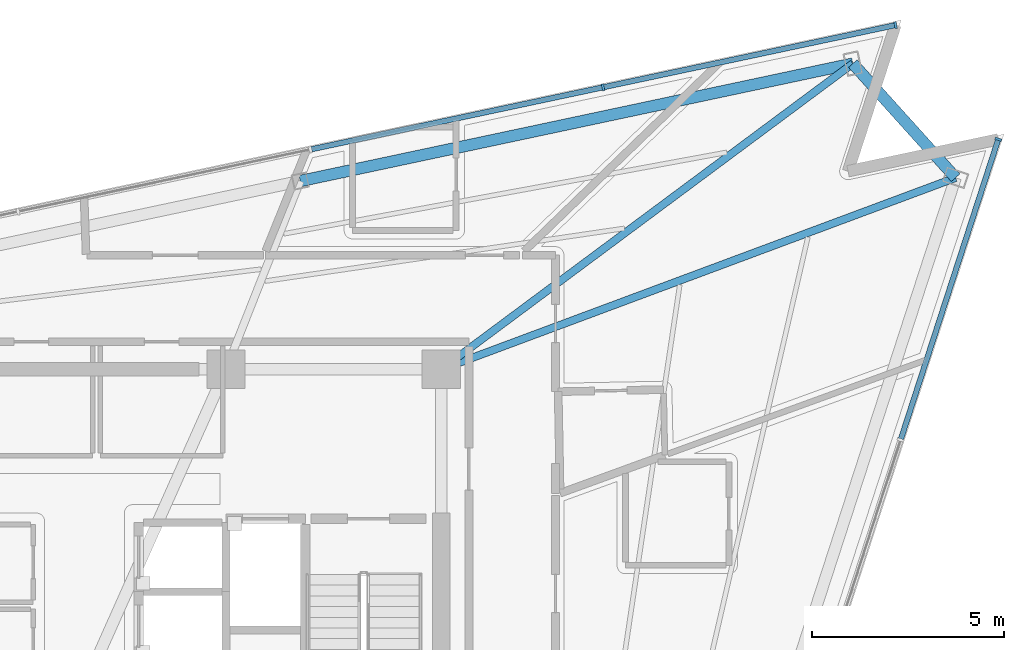
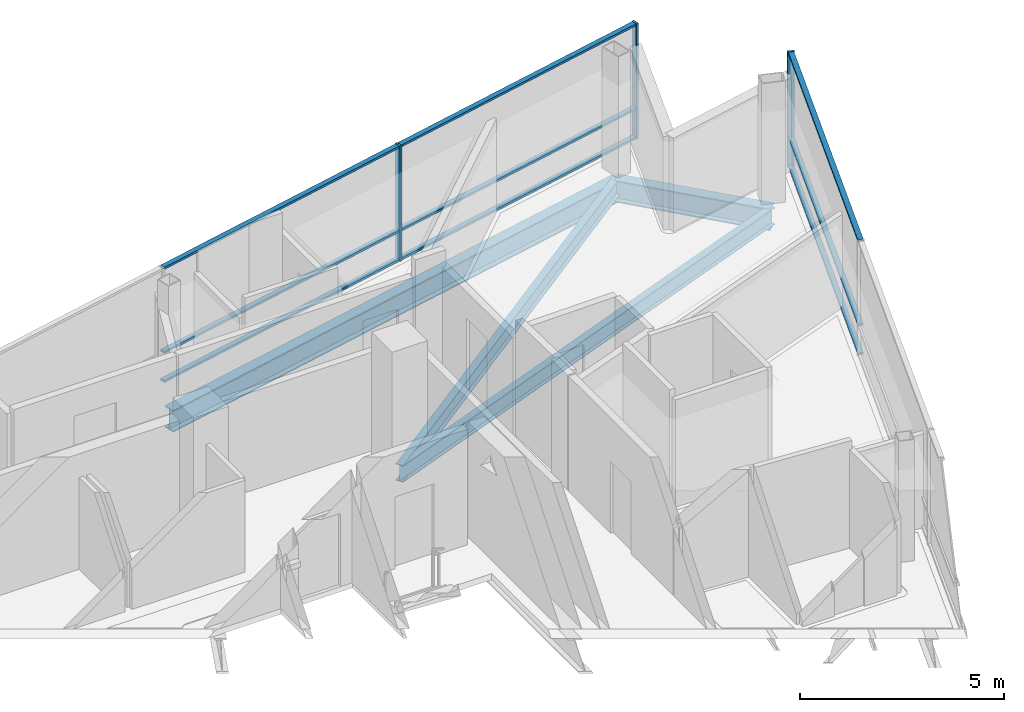
# One storey, part 8 of 17: 12 members, 4 beams, 2 elements without a shape of their own.
"""IFC4 building model written with IfcOpenShell, lengths in metres."""

from ifc_helpers import new_model, si_unit, direction, frame, origin, origin_2d, place, context, subcontext, project, spatial, rectangle, i_section, extrude, material, layer, layer_set, material_profile, profile_set, type_object, element, aggregate, save


model = new_model("IFC4")

# Units and contexts
model_context = context("Model", 3, precision=1e-05, world=origin(), true_north=direction((0.0, 1.0)))
body_context = subcontext(model_context, "Body", "Model", "MODEL_VIEW")
ifc_project = project(units=[si_unit("LENGTHUNIT", "METRE"), si_unit("AREAUNIT", "SQUARE_METRE"), si_unit("VOLUMEUNIT", "CUBIC_METRE"), si_unit("PLANEANGLEUNIT", "RADIAN"), si_unit("MASSUNIT", "GRAM", prefix="KILO")], contexts=[model_context])

# Site, building, storey
site_placement = place(None, origin())
site = spatial("IfcSite", under=ifc_project, at=site_placement, CompositionType="ELEMENT")
building_placement = place(site_placement, origin())
building = spatial("IfcBuilding", under=site, at=building_placement, Name="Tharavind Bronze Gate", CompositionType="ELEMENT")
storey_placement = place(building_placement, frame((0.0, 0.0, 294.35009765625)))
storey = spatial("IfcBuildingStorey", under=building, at=storey_placement, Name="L76", CompositionType="ELEMENT", Elevation=294.35009765625)

# Curtain wall, member
ifc_material_1 = material(Name="Anodised Bronze Aluminium", Category="aluminium")
ifc_layer = layer(ifc_material_1, 0.219970703125)
ifc_layer_set = layer_set([ifc_layer], Name="Anodised Bronze Aluminium")
curtain_wall_type = type_object("IfcCurtainWallType", Name="UNITISED CURTAIN WALL CROWN", PredefinedType="USERDEFINED", material=ifc_layer_set)
curtain_wall_1_placement = place(storey_placement, origin())
curtain_wall_1 = element("IfcCurtainWall", 1, at=curtain_wall_1_placement, inside=storey, type_object=curtain_wall_type, Name="L76 unitised curtain wall crown CW-L76-S2", ObjectType="UNITISED CURTAIN WALL", PredefinedType="USERDEFINED")
member_type_1 = type_object("IfcMemberType", Name="CURTAIN WALL BRONZE MULLION 65X180", PredefinedType="MULLION", material=ifc_material_1)
member_1_placement = place(storey_placement, frame((23.433837890625, 13.603271484375, 0.0), z_axis=(0.0, 0.0, 1.0), x_axis=(0.309016994375, 0.951056516295, 0.0)))
member_1 = element("IfcMember", 2, at=member_1_placement, type_object=member_type_1, Name="CW-L76-S2 mullion 7", PredefinedType="MULLION", context=body_context, shape_type="SweptSolid", body=[
    extrude(rectangle(XDim=0.06494140625, YDim=0.179931640625, at=origin_2d()), origin(), (0.0, 0.0, 1.0), 3.449951171875),
])

# Curtain wall, members
curtain_wall_2_placement = place(storey_placement, origin())
curtain_wall_2 = element("IfcCurtainWall", 3, at=curtain_wall_2_placement, inside=storey, type_object=curtain_wall_type, Name="L76 unitised curtain wall crown CW-L76-S3", ObjectType="UNITISED CURTAIN WALL", PredefinedType="USERDEFINED")
member_2_placement = place(storey_placement, frame((20.751953125, 16.581787109375, 0.0), z_axis=(0.0, 0.0, 1.0), x_axis=(-0.978147237858, -0.207913398007, 0.0)))
member_2 = element("IfcMember", 4, at=member_2_placement, type_object=member_type_1, Name="CW-L76-S3 mullion 1", PredefinedType="MULLION", context=body_context, shape_type="SweptSolid", body=[
    extrude(rectangle(XDim=0.06494140625, YDim=0.179931640625, at=origin_2d()), origin(), (0.0, 0.0, 1.0), 3.449951171875),
])
member_3_placement = place(storey_placement, frame((13.119873046875, 14.959716796875, 0.0), z_axis=(0.0, 0.0, 1.0), x_axis=(-0.978147237858, -0.207913398007, 0.0)))
member_3 = element("IfcMember", 5, at=member_3_placement, type_object=member_type_1, Name="CW-L76-S3 mullion 2", PredefinedType="MULLION", context=body_context, shape_type="SweptSolid", body=[
    extrude(rectangle(XDim=0.06494140625, YDim=0.179931640625, at=origin_2d()), origin(), (0.0, 0.0, 1.0), 3.449951171875),
])

# Member
member_type_2 = type_object("IfcMemberType", Name="CURTAIN WALL BRONZE TRANSOM 65X140", PredefinedType="USERDEFINED", material=ifc_material_1)
member_4_placement = place(storey_placement, frame((22.159423828125, 9.68115234375, 0.0), z_axis=(0.0, 0.0, 1.0), x_axis=(0.309016994375, 0.951056516295, 0.0)))
member_4 = element("IfcMember", 6, at=member_4_placement, type_object=member_type_2, Name="CW-L76-S2 transom TB6", ObjectType="TRANSOM", PredefinedType="USERDEFINED", context=body_context, shape_type="SweptSolid", body=[
    extrude(rectangle(XDim=8.195068359375, YDim=0.139892578125, at=origin_2d()), origin(), (0.0, 0.0, 1.0), 0.06494140625),
])

member_5_placement = place(storey_placement, frame((22.159423828125, 9.68115234375, 0.867431640625), z_axis=(0.0, 0.0, 1.0), x_axis=(0.309016994375, 0.951056516295, 0.0)))
member_5 = element("IfcMember", 7, at=member_5_placement, type_object=member_type_2, Name="CW-L76-S2 transom TS6", ObjectType="TRANSOM", PredefinedType="USERDEFINED", context=body_context, shape_type="SweptSolid", body=[
    extrude(rectangle(XDim=8.195068359375, YDim=0.139892578125, at=origin_2d()), origin(), (0.0, 0.0, 1.0), 0.06494140625),
])

member_6_placement = place(storey_placement, frame((22.159423828125, 9.68115234375, 3.385009765625), z_axis=(0.0, 0.0, 1.0), x_axis=(0.309016994375, 0.951056516295, 0.0)))
member_6 = element("IfcMember", 8, at=member_6_placement, type_object=member_type_2, Name="CW-L76-S2 transom TT6", ObjectType="TRANSOM", PredefinedType="USERDEFINED", context=body_context, shape_type="SweptSolid", body=[
    extrude(rectangle(XDim=8.195068359375, YDim=0.139892578125, at=origin_2d()), origin(), (0.0, 0.0, 1.0), 0.06494140625),
])

aggregate(curtain_wall_1, [member_1, member_4, member_5, member_6])

member_7_placement = place(storey_placement, frame((16.935791015625, 15.770751953125, 0.0), z_axis=(0.0, 0.0, 1.0), x_axis=(-0.978147237858, -0.207913398007, 0.0)))
member_7 = element("IfcMember", 9, at=member_7_placement, type_object=member_type_2, Name="CW-L76-S3 transom TB1", ObjectType="TRANSOM", PredefinedType="USERDEFINED", context=body_context, shape_type="SweptSolid", body=[
    extrude(rectangle(XDim=7.749755859375, YDim=0.139892578125, at=origin_2d()), origin(), (0.0, 0.0, 1.0), 0.06494140625),
])

member_8_placement = place(storey_placement, frame((16.935791015625, 15.770751953125, 0.867431640625), z_axis=(0.0, 0.0, 1.0), x_axis=(-0.978147237858, -0.207913398007, 0.0)))
member_8 = element("IfcMember", 10, at=member_8_placement, type_object=member_type_2, Name="CW-L76-S3 transom TS1", ObjectType="TRANSOM", PredefinedType="USERDEFINED", context=body_context, shape_type="SweptSolid", body=[
    extrude(rectangle(XDim=7.749755859375, YDim=0.139892578125, at=origin_2d()), origin(), (0.0, 0.0, 1.0), 0.06494140625),
])

member_9_placement = place(storey_placement, frame((16.935791015625, 15.770751953125, 3.385009765625), z_axis=(0.0, 0.0, 1.0), x_axis=(-0.978147237858, -0.207913398007, 0.0)))
member_9 = element("IfcMember", 11, at=member_9_placement, type_object=member_type_2, Name="CW-L76-S3 transom TT1", ObjectType="TRANSOM", PredefinedType="USERDEFINED", context=body_context, shape_type="SweptSolid", body=[
    extrude(rectangle(XDim=7.749755859375, YDim=0.139892578125, at=origin_2d()), origin(), (0.0, 0.0, 1.0), 0.06494140625),
])

member_10_placement = place(storey_placement, frame((9.3037109375, 14.1484375, 0.0), z_axis=(0.0, 0.0, 1.0), x_axis=(-0.978147237858, -0.207913398007, 0.0)))
member_10 = element("IfcMember", 12, at=member_10_placement, type_object=member_type_2, Name="CW-L76-S3 transom TB2", ObjectType="TRANSOM", PredefinedType="USERDEFINED", context=body_context, shape_type="SweptSolid", body=[
    extrude(rectangle(XDim=7.749755859375, YDim=0.139892578125, at=origin_2d()), origin(), (0.0, 0.0, 1.0), 0.06494140625),
])

member_11_placement = place(storey_placement, frame((9.3037109375, 14.1484375, 0.867431640625), z_axis=(0.0, 0.0, 1.0), x_axis=(-0.978147237858, -0.207913398007, 0.0)))
member_11 = element("IfcMember", 13, at=member_11_placement, type_object=member_type_2, Name="CW-L76-S3 transom TS2", ObjectType="TRANSOM", PredefinedType="USERDEFINED", context=body_context, shape_type="SweptSolid", body=[
    extrude(rectangle(XDim=7.749755859375, YDim=0.139892578125, at=origin_2d()), origin(), (0.0, 0.0, 1.0), 0.06494140625),
])

member_12_placement = place(storey_placement, frame((9.3037109375, 14.1484375, 3.385009765625), z_axis=(0.0, 0.0, 1.0), x_axis=(-0.978147237858, -0.207913398007, 0.0)))
member_12 = element("IfcMember", 14, at=member_12_placement, type_object=member_type_2, Name="CW-L76-S3 transom TT2", ObjectType="TRANSOM", PredefinedType="USERDEFINED", context=body_context, shape_type="SweptSolid", body=[
    extrude(rectangle(XDim=7.749755859375, YDim=0.139892578125, at=origin_2d()), origin(), (0.0, 0.0, 1.0), 0.06494140625),
])

aggregate(curtain_wall_2, [member_2, member_3, member_7, member_8, member_9, member_10, member_11, member_12])

# Beams
ifc_material_2 = material(Name="Steel S355", Category="steel")
ifc_material_profile_1 = material_profile(ifc_material_2, i_section(OverallWidth=0.300048828125, OverallDepth=0.64990234375, WebThickness=0.01611328125, FlangeThickness=0.031005859375, at=origin_2d()), Name="HE650B")
ifc_profile_set_1 = profile_set([ifc_material_profile_1], Name="Steel S355")
beam_type_1 = type_object("IfcBeamType", Name="PRIMARY GIRDER HE650B", PredefinedType="USERDEFINED", material=ifc_profile_set_1)
beam_1_placement = place(storey_placement, frame((22.319091796875, 12.599609375, -0.510009765625), z_axis=(-0.669132983361, 0.743142685208, 0.0), x_axis=(-0.743142685208, -0.669132983361, 0.0)))
element("IfcBeam", 15, at=beam_1_placement, inside=storey, type_object=beam_type_1, Name="L76 primary girder he650b BM-L76-PRG08", ObjectType="GIRDER", PredefinedType="USERDEFINED", context=body_context, shape_type="SweptSolid", body=[
    extrude(i_section(OverallWidth=0.300048828125, OverallDepth=0.64990234375, WebThickness=0.01611328125, FlangeThickness=0.031005859375, at=origin_2d()), origin(), (0.0, 0.0, 1.0), 4.008056640625),
])
beam_2_placement = place(storey_placement, frame((19.63720703125, 15.578125, -0.510009765625), z_axis=(-0.97814794647, -0.207910064249, 0.0), x_axis=(0.207910064249, -0.97814794647, 0.0)))
element("IfcBeam", 16, at=beam_2_placement, inside=storey, type_object=beam_type_1, Name="L76 primary girder he650b BM-L76-PRG09", ObjectType="GIRDER", PredefinedType="USERDEFINED", context=body_context, shape_type="SweptSolid", body=[
    extrude(i_section(OverallWidth=0.300048828125, OverallDepth=0.64990234375, WebThickness=0.01611328125, FlangeThickness=0.031005859375, at=origin_2d()), origin(), (0.0, 0.0, 1.0), 14.7392578125),
])
ifc_material_profile_2 = material_profile(ifc_material_2, i_section(OverallWidth=0.199951171875, OverallDepth=0.5, WebThickness=0.01025390625, FlangeThickness=0.01611328125, at=origin_2d()), Name="IPE500")
ifc_profile_set_2 = profile_set([ifc_material_profile_2], Name="Steel S355")
beam_type_2 = type_object("IfcBeamType", Name="PRIMARY GIRDER IPE500", PredefinedType="USERDEFINED", material=ifc_profile_set_2)
beam_3_placement = place(storey_placement, frame((22.319091796875, 12.599609375, -0.43505859375), z_axis=(-0.937077412275, -0.349121645567, 0.0), x_axis=(0.349121645567, -0.937077412275, 0.0)))
element("IfcBeam", 17, at=beam_3_placement, inside=storey, type_object=beam_type_2, Name="L76 primary girder ipe500 BM-L76-RAD08", ObjectType="GIRDER", PredefinedType="USERDEFINED", context=body_context, shape_type="SweptSolid", body=[
    extrude(i_section(OverallWidth=0.199951171875, OverallDepth=0.5, WebThickness=0.01025390625, FlangeThickness=0.01611328125, at=origin_2d()), origin(), (0.0, 0.0, 1.0), 14.3203125),
])
beam_4_placement = place(storey_placement, frame((19.63720703125, 15.578125, -0.43505859375), z_axis=(-0.802681438581, -0.596408004774, 0.0), x_axis=(0.596408004774, -0.802681438581, 0.0)))
element("IfcBeam", 18, at=beam_4_placement, inside=storey, type_object=beam_type_2, Name="L76 primary girder ipe500 BM-L76-RAD09", ObjectType="GIRDER", PredefinedType="USERDEFINED", context=body_context, shape_type="SweptSolid", body=[
    extrude(i_section(OverallWidth=0.199951171875, OverallDepth=0.5, WebThickness=0.01025390625, FlangeThickness=0.01611328125, at=origin_2d()), origin(), (0.0, 0.0, 1.0), 13.376708984375),
])

save(model, "model.ifc")
